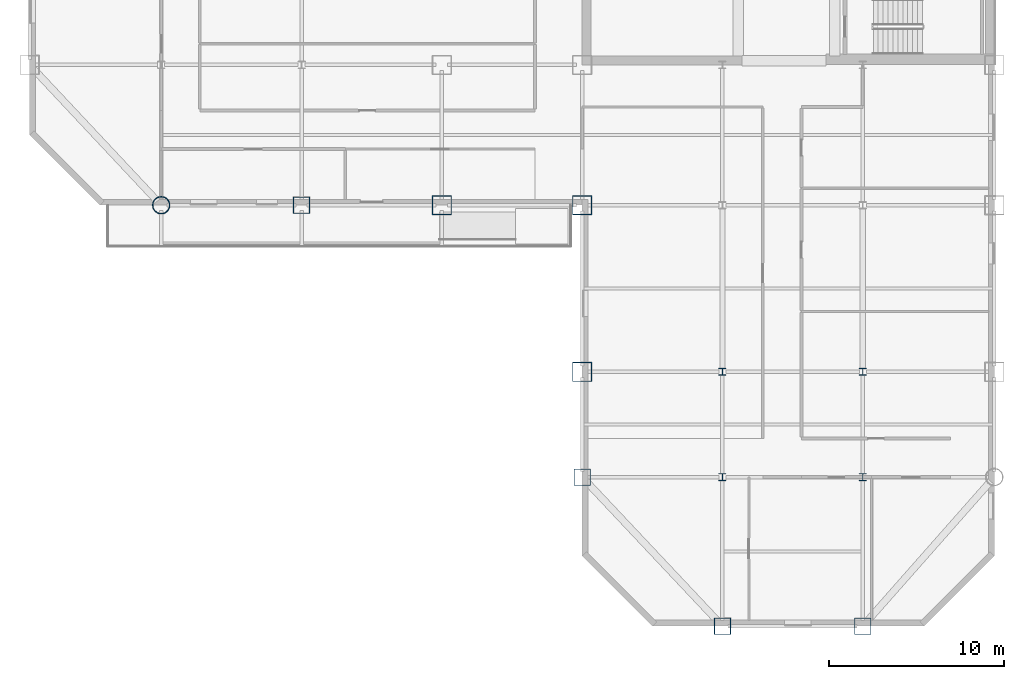
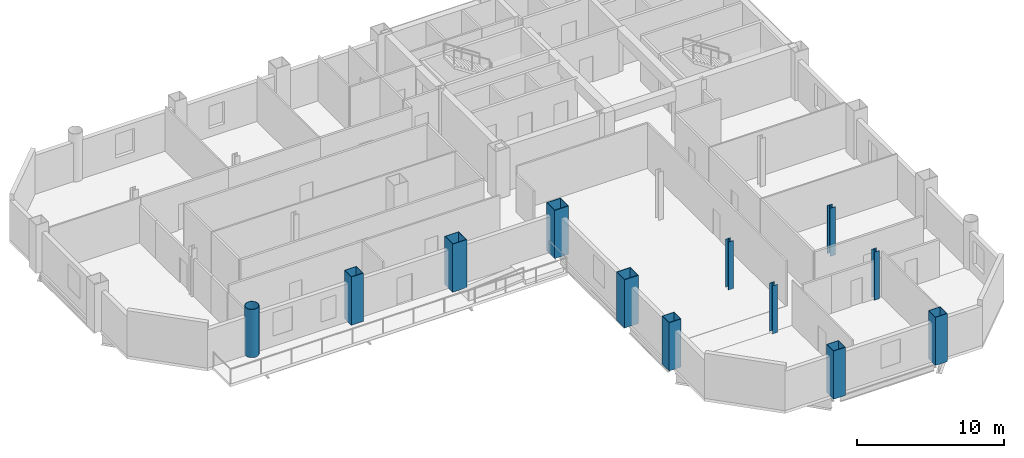
# One storey, part 1 of 10: 12 columns.
"""IFC4 building model written with IfcOpenShell, lengths in metres."""

from ifc_helpers import new_model, si_unit, direction, frame, origin, origin_2d, place, context, subcontext, project, spatial, hollow_rectangle, hollow_circle, i_section, extrude, material, material_profile, profile_set, type_object, element, save


model = new_model("IFC4")

# Units and contexts
model_context = context("Model", 3, precision=1e-05, world=origin(), true_north=direction((0.0, 1.0)))
body_context = subcontext(model_context, "Body", "Model", "MODEL_VIEW")
ifc_project = project(units=[si_unit("LENGTHUNIT", "METRE"), si_unit("AREAUNIT", "SQUARE_METRE"), si_unit("VOLUMEUNIT", "CUBIC_METRE"), si_unit("PLANEANGLEUNIT", "RADIAN"), si_unit("MASSUNIT", "GRAM", prefix="KILO")], contexts=[model_context])

# Site, building, storey
site_placement = place(None, origin())
site = spatial("IfcSite", under=ifc_project, at=site_placement, CompositionType="ELEMENT")
building_placement = place(site_placement, origin())
building = spatial("IfcBuilding", under=site, at=building_placement, Name="Qianrong Seaharbour Tower", CompositionType="ELEMENT")
storey_placement = place(building_placement, frame((0.0, 0.0, 187.0)))
storey = spatial("IfcBuildingStorey", under=building, at=storey_placement, Name="L45", CompositionType="ELEMENT", Elevation=187.0)

# Columns
ifc_material = material(Name="Structural steel SN490B", Category="steel")
ifc_material_profile_1 = material_profile(ifc_material, hollow_rectangle(XDim=1.10009765625, YDim=1.10009765625, WallThickness=0.0400390625, at=origin_2d()), Name="BOX1100x1100x40")
ifc_profile_set_1 = profile_set([ifc_material_profile_1], Name="Structural steel SN490B")
column_type_1 = type_object("IfcColumnType", Name="COL-CFT-1100", PredefinedType="COLUMN", material=ifc_profile_set_1)
for number, where, z_axis, x_axis, name in (
    (1, (32.5, 28.0, 0.0), (0.0, 0.0, 1.0), (1.0, 0.0, 0.0), "L45 Column MC-3 at G5/GE"),
    (2, (40.5, 18.5, 0.0), (0.0, 0.0, 1.0), (1.0, 0.0, 0.0), "L45 Column MC-3 at G6/GD"),
    (3, (40.5, 28.0, 0.0), (0.0, 0.0, 1.0), (1.0, 0.0, 0.0), "L45 Column MC-3 at G6/GE"),
):
    element("IfcColumn", number, at=place(storey_placement, frame(where, z_axis=z_axis, x_axis=x_axis)), inside=storey, type_object=column_type_1, Name=name, PredefinedType="COLUMN", context=body_context, shape_type="SweptSolid", body=[
        extrude(hollow_rectangle(XDim=1.10009765625, YDim=1.10009765625, WallThickness=0.0400390625, at=origin_2d()), origin(), (0.0, 0.0, 1.0), 4.0),
    ])
ifc_material_profile_2 = material_profile(ifc_material, hollow_circle(Radius=0.5, WallThickness=0.035888671875, at=origin_2d()), Name="CHS1000x36")
ifc_profile_set_2 = profile_set([ifc_material_profile_2], Name="Structural steel SN490B")
column_type_2 = type_object("IfcColumnType", Name="COL-CHS-1000", PredefinedType="COLUMN", material=ifc_profile_set_2)
column_placement = place(storey_placement, frame((16.5, 28.0, 0.0), z_axis=(0.0, 0.0, 1.0), x_axis=(1.0, 0.0, 0.0)))
element("IfcColumn", 4, at=column_placement, inside=storey, type_object=column_type_2, Name="L45 Column CC-2 at G3/GE", PredefinedType="COLUMN", context=body_context, shape_type="SweptSolid", body=[
    extrude(hollow_circle(Radius=0.5, WallThickness=0.035888671875, at=origin_2d()), origin(), (0.0, 0.0, 1.0), 4.0),
])
ifc_material_profile_3 = material_profile(ifc_material, i_section(OverallWidth=0.39990234375, OverallDepth=0.39990234375, WebThickness=0.012939453125, FlangeThickness=0.02099609375, FilletRadius=0.02197265625, at=origin_2d()), Name="H400x400x13x21")
ifc_profile_set_3 = profile_set([ifc_material_profile_3], Name="Structural steel SN490B")
column_type_3 = type_object("IfcColumnType", Name="COL-INT-H400", PredefinedType="COLUMN", material=ifc_profile_set_3)
for number, where, z_axis, x_axis, name in (
    (5, (48.5, 12.5, 0.0), (0.0, 0.0, 1.0), (1.0, 0.0, 0.0), "L45 Column IC-3 at G7/GC"),
    (6, (48.5, 18.5, 0.0), (0.0, 0.0, 1.0), (1.0, 0.0, 0.0), "L45 Column IC-3 at G7/GD"),
    (7, (56.5, 12.5, 0.0), (0.0, 0.0, 1.0), (1.0, 0.0, 0.0), "L45 Column IC-3 at G8/GC"),
    (8, (56.5, 18.5, 0.0), (0.0, 0.0, 1.0), (1.0, 0.0, 0.0), "L45 Column IC-3 at G8/GD"),
):
    element("IfcColumn", number, at=place(storey_placement, frame(where, z_axis=z_axis, x_axis=x_axis)), inside=storey, type_object=column_type_3, Name=name, PredefinedType="COLUMN", context=body_context, shape_type="SweptSolid", body=[
        extrude(i_section(OverallWidth=0.39990234375, OverallDepth=0.39990234375, WebThickness=0.012939453125, FlangeThickness=0.02099609375, FilletRadius=0.02197265625, at=origin_2d()), origin(), (0.0, 0.0, 1.0), 4.0),
    ])
ifc_material_profile_4 = material_profile(ifc_material, hollow_rectangle(XDim=0.949951171875, YDim=0.949951171875, WallThickness=0.035888671875, at=origin_2d()), Name="BOX950x950x36")
ifc_profile_set_4 = profile_set([ifc_material_profile_4], Name="Structural steel SN490B")
column_type_4 = type_object("IfcColumnType", Name="COL-PER-950", PredefinedType="COLUMN", material=ifc_profile_set_4)
for number, where, z_axis, x_axis, name in (
    (9, (24.5, 28.0, 0.0), (0.0, 0.0, 1.0), (1.0, 0.0, 0.0), "L45 Column PC-2 at G4/GE"),
    (10, (40.5, 12.5, 0.0), (0.0, 0.0, 1.0), (1.0, 0.0, 0.0), "L45 Column PC-2 at G6/GC"),
    (11, (48.5, 4.0, 0.0), (0.0, 0.0, 1.0), (1.0, 0.0, 0.0), "L45 Column PC-2 at G7/GB"),
    (12, (56.5, 4.0, 0.0), (0.0, 0.0, 1.0), (1.0, 0.0, 0.0), "L45 Column PC-2 at G8/GB"),
):
    element("IfcColumn", number, at=place(storey_placement, frame(where, z_axis=z_axis, x_axis=x_axis)), inside=storey, type_object=column_type_4, Name=name, PredefinedType="COLUMN", context=body_context, shape_type="SweptSolid", body=[
        extrude(hollow_rectangle(XDim=0.949951171875, YDim=0.949951171875, WallThickness=0.035888671875, at=origin_2d()), origin(), (0.0, 0.0, 1.0), 4.0),
    ])

save(model, "model.ifc")
